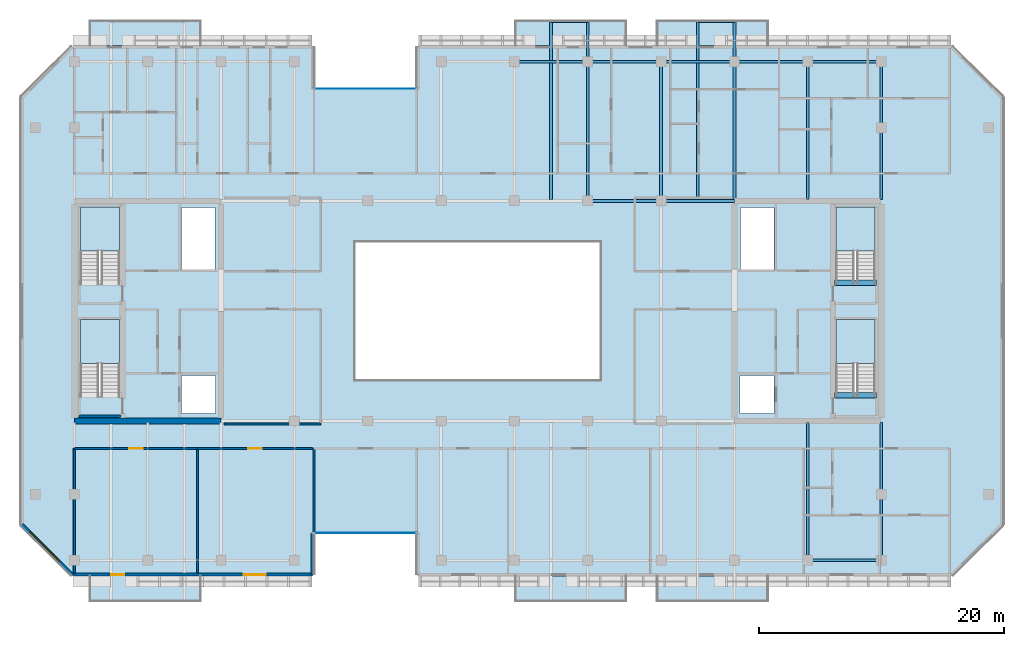
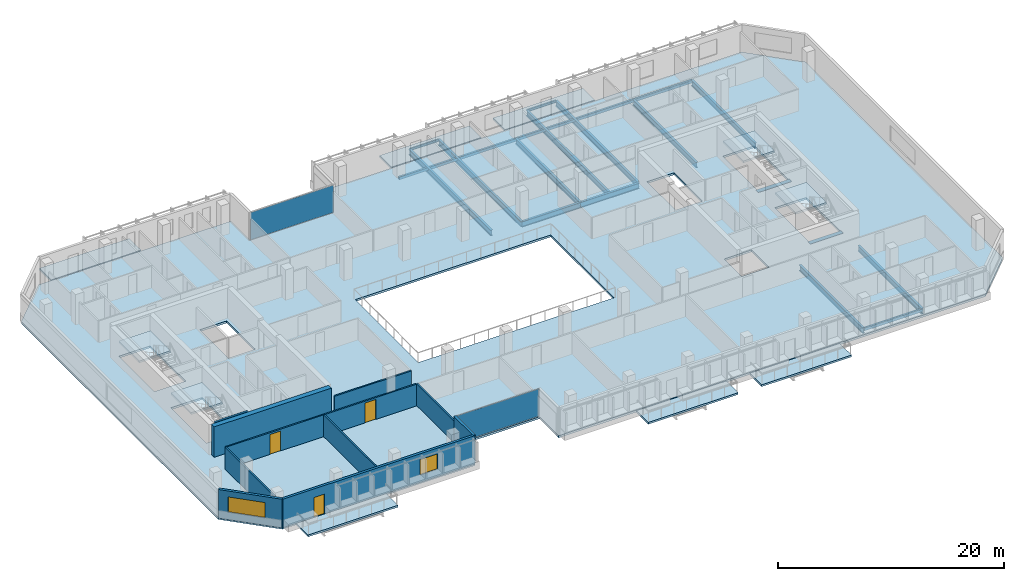
# One storey, part 8 of 19: 21 beams, 11 slabs, 11 walls, 3 doors, 2 plates, 2 windows, 5 openings, 6 elements without a shape of their own.
"""IFC4 building model written with IfcOpenShell, lengths in metres."""

from ifc_helpers import new_model, si_unit, direction, frame, frame_2d, origin, origin_2d, place, context, subcontext, project, spatial, polyline, rectangle, hollow_rectangle, i_section, outline, extrude, material, layer, layer_set, material_profile, profile_set, type_object, element, fill, aggregate, save


model = new_model("IFC4")

# Units and contexts
model_context = context("Model", 3, precision=1e-05, world=origin(), true_north=direction((0.0, 1.0)))
body_context = subcontext(model_context, "Body", "Model", "MODEL_VIEW")
ifc_project = project(units=[si_unit("LENGTHUNIT", "METRE"), si_unit("AREAUNIT", "SQUARE_METRE"), si_unit("VOLUMEUNIT", "CUBIC_METRE"), si_unit("PLANEANGLEUNIT", "RADIAN"), si_unit("MASSUNIT", "GRAM", prefix="KILO")], contexts=[model_context])

# Site, building, storey
site_placement = place(None, origin())
site = spatial("IfcSite", under=ifc_project, at=site_placement, CompositionType="ELEMENT")
building_placement = place(site_placement, origin())
building = spatial("IfcBuilding", under=site, at=building_placement, Name="Tanjung Sevakor Pilgrim Tower", CompositionType="ELEMENT")
storey_placement = place(building_placement, frame((0.0, 0.0, 155.10009765625)))
storey = spatial("IfcBuildingStorey", under=building, at=storey_placement, Name="L43", CompositionType="ELEMENT", Elevation=155.10009765625)

# Beams
ifc_material_1 = material(Name="Steel S355J2", Category="steel")
ifc_material_profile_1 = material_profile(ifc_material_1, i_section(OverallWidth=0.230224609375, OverallDepth=0.6171875, WebThickness=0.01318359375, FlangeThickness=0.022216796875, FilletRadius=0.0126953125, at=origin_2d()))
ifc_profile_set_1 = profile_set([ifc_material_profile_1], Name="Steel S355J2")
beam_type_1 = type_object("IfcBeamType", Name="BM-B-G3-UB_610x229x140", PredefinedType="BEAM", material=ifc_profile_set_1)
for number, where, z_axis, x_axis, name in (
    (1, (66.0, 42.60009765625, -0.52880859375), (1.0, 0.0, 0.0), (0.0, 1.0, 0.0), "L43 Primary Floor Girder MAIN Y426-06"),
    (2, (72.0, 42.60009765625, -0.52880859375), (1.0, 0.0, 0.0), (0.0, 1.0, 0.0), "L43 Primary Floor Girder MAIN Y426-07"),
):
    element("IfcBeam", number, at=place(storey_placement, frame(where, z_axis=z_axis, x_axis=x_axis)), inside=storey, type_object=beam_type_1, Name=name, PredefinedType="BEAM", context=body_context, shape_type="SweptSolid", body=[
        extrude(i_section(OverallWidth=0.230224609375, OverallDepth=0.6171875, WebThickness=0.01318359375, FlangeThickness=0.022216796875, FilletRadius=0.0126953125, at=origin_2d()), origin(), (0.0, 0.0, 1.0), 6.0),
    ])
ifc_material_2 = material(Name="Steel S355J2", Category="steel")
ifc_material_profile_2 = material_profile(ifc_material_2, i_section(OverallWidth=0.22900390625, OverallDepth=0.6123046875, WebThickness=0.011962890625, FlangeThickness=0.01953125, FilletRadius=0.0126953125, at=origin_2d()))
ifc_profile_set_2 = profile_set([ifc_material_profile_2], Name="Steel S355J2")
beam_type_2 = type_object("IfcBeamType", Name="BM-B-G4-UB_610x229x125", PredefinedType="BEAM", material=ifc_profile_set_2)
beam_1_placement = place(storey_placement, frame((63.0, 42.715087890625, -0.526123046875), z_axis=(0.0, 1.0, 0.0), x_axis=(-1.0, 0.0, 0.0)))
element("IfcBeam", 3, at=beam_1_placement, inside=storey, type_object=beam_type_2, Name="L43 Balcony Cantilever Beam MAIN-N2-1", PredefinedType="BEAM", context=body_context, shape_type="SweptSolid", body=[
    extrude(i_section(OverallWidth=0.22900390625, OverallDepth=0.6123046875, WebThickness=0.011962890625, FlangeThickness=0.01953125, FilletRadius=0.0126953125, at=origin_2d()), origin(), (0.0, 0.0, 1.0), 14.56494140625),
])
beam_2_placement = place(storey_placement, frame((66.0, 42.60009765625, -0.526123046875), z_axis=(0.0, 1.0, 0.0), x_axis=(-1.0, 0.0, 0.0)))
element("IfcBeam", 4, at=beam_2_placement, inside=storey, type_object=beam_type_2, Name="L43 Balcony Cantilever Beam MAIN-N2-2", PredefinedType="BEAM", context=body_context, shape_type="SweptSolid", body=[
    extrude(i_section(OverallWidth=0.22900390625, OverallDepth=0.6123046875, WebThickness=0.011962890625, FlangeThickness=0.01953125, FilletRadius=0.0126953125, at=origin_2d()), origin(), (0.0, 0.0, 1.0), 14.679931640625),
])
beam_3_placement = place(storey_placement, frame((72.0, 42.60009765625, -0.526123046875), z_axis=(0.0, 1.0, 0.0), x_axis=(-1.0, 0.0, 0.0)))
element("IfcBeam", 5, at=beam_3_placement, inside=storey, type_object=beam_type_2, Name="L43 MAIN Girder 016", PredefinedType="BEAM", context=body_context, shape_type="SweptSolid", body=[
    extrude(i_section(OverallWidth=0.22900390625, OverallDepth=0.6123046875, WebThickness=0.011962890625, FlangeThickness=0.01953125, FilletRadius=0.0126953125, at=origin_2d()), origin(), (0.0, 0.0, 1.0), 11.39990234375),
])
for number, where, z_axis, x_axis, name in (
    (6, (75.0, 42.715087890625, -0.526123046875), (0.0, 1.0, 0.0), (-1.0, 0.0, 0.0), "L43 Balcony Cantilever Beam MAIN-N3-1"),
    (7, (78.0, 42.715087890625, -0.526123046875), (0.0, 1.0, 0.0), (-1.0, 0.0, 0.0), "L43 Balcony Cantilever Beam MAIN-N3-2"),
):
    element("IfcBeam", number, at=place(storey_placement, frame(where, z_axis=z_axis, x_axis=x_axis)), inside=storey, type_object=beam_type_2, Name=name, PredefinedType="BEAM", context=body_context, shape_type="SweptSolid", body=[
        extrude(i_section(OverallWidth=0.22900390625, OverallDepth=0.6123046875, WebThickness=0.011962890625, FlangeThickness=0.01953125, FilletRadius=0.0126953125, at=origin_2d()), origin(), (0.0, 0.0, 1.0), 14.56494140625),
    ])
for number, where, z_axis, x_axis, name in (
    (8, (84.0, 13.199951171875, -0.526123046875), (0.0, 1.0, 0.0), (-1.0, 0.0, 0.0), "L43 MAIN Girder 017"),
    (9, (84.0, 42.715087890625, -0.526123046875), (0.0, 1.0, 0.0), (-1.0, 0.0, 0.0), "L43 MAIN Girder 018"),
    (10, (90.0, 13.199951171875, -0.526123046875), (0.0, 1.0, 0.0), (-1.0, 0.0, 0.0), "L43 MAIN Girder 019"),
    (11, (90.0, 42.715087890625, -0.526123046875), (0.0, 1.0, 0.0), (-1.0, 0.0, 0.0), "L43 MAIN Girder 020"),
):
    element("IfcBeam", number, at=place(storey_placement, frame(where, z_axis=z_axis, x_axis=x_axis)), inside=storey, type_object=beam_type_2, Name=name, PredefinedType="BEAM", context=body_context, shape_type="SweptSolid", body=[
        extrude(i_section(OverallWidth=0.22900390625, OverallDepth=0.6123046875, WebThickness=0.011962890625, FlangeThickness=0.01953125, FilletRadius=0.0126953125, at=origin_2d()), origin(), (0.0, 0.0, 1.0), 11.284912109375),
    ])
ifc_material_3 = material(Name="Steel S355J2", Category="steel")
ifc_material_profile_3 = material_profile(ifc_material_3, i_section(OverallWidth=0.146484375, OverallDepth=0.256103515625, WebThickness=0.00634765625, FlangeThickness=0.010986328125, FilletRadius=0.007568359375, at=origin_2d()))
ifc_profile_set_3 = profile_set([ifc_material_profile_3], Name="Steel S355J2")
beam_type_3 = type_object("IfcBeamType", Name="BM-B-J6-UB_254x146x37", PredefinedType="JOIST", material=ifc_profile_set_3)
for number, where, z_axis, x_axis, name in (
    (12, (63.0, 57.280029296875, -0.328125), (1.0, 0.0, 0.0), (0.0, 1.0, 0.0), "L43 Balcony Rim Tie MAIN-N2"),
    (13, (75.0, 57.280029296875, -0.328125), (1.0, 0.0, 0.0), (0.0, 1.0, 0.0), "L43 Balcony Rim Tie MAIN-N3"),
):
    element("IfcBeam", number, at=place(storey_placement, frame(where, z_axis=z_axis, x_axis=x_axis)), inside=storey, type_object=beam_type_3, Name=name, PredefinedType="JOIST", context=body_context, shape_type="SweptSolid", body=[
        extrude(i_section(OverallWidth=0.146484375, OverallDepth=0.256103515625, WebThickness=0.00634765625, FlangeThickness=0.010986328125, FilletRadius=0.007568359375, at=origin_2d()), origin(), (0.0, 0.0, 1.0), 3.0),
    ])
ifc_material_4 = material(Name="Concrete C60/75", Category="concrete")
ifc_material_profile_4 = material_profile(ifc_material_4, rectangle(XDim=0.449951171875, YDim=0.699951171875, at=origin_2d()))
ifc_profile_set_4 = profile_set([ifc_material_profile_4], Name="Concrete C60/75")
beam_type_4 = type_object("IfcBeamType", Name="BM-B-LN3-RC-BM_450x700", PredefinedType="LINTEL", material=ifc_profile_set_4)
for number, where, z_axis, x_axis, name in (
    (14, (86.199951171875, 26.699951171875, -0.35009765625), (1.0, 0.0, 0.0), (0.0, 1.0, 0.0), "L43 TS-E1 Stair Threshold Beam"),
    (15, (86.199951171875, 35.89990234375, -0.35009765625), (1.0, 0.0, 0.0), (0.0, 1.0, 0.0), "L43 TS-E2 Stair Threshold Beam"),
):
    element("IfcBeam", number, at=place(storey_placement, frame(where, z_axis=z_axis, x_axis=x_axis)), inside=storey, type_object=beam_type_4, Name=name, PredefinedType="LINTEL", context=body_context, shape_type="SweptSolid", body=[
        extrude(rectangle(XDim=0.449951171875, YDim=0.699951171875, at=origin_2d()), origin(), (0.0, 0.0, 1.0), 3.400146484375),
    ])
ifc_material_5 = material(Name="Steel S355J2", Category="steel")
ifc_material_profile_5 = material_profile(ifc_material_5, hollow_rectangle(XDim=0.199951171875, YDim=0.300048828125, WallThickness=0.012451171875, at=origin_2d()))
ifc_profile_set_5 = profile_set([ifc_material_profile_5], Name="Steel S355J2")
beam_type_5 = type_object("IfcBeamType", Name="BM-B-SP3-RHS_300x200x12.5", PredefinedType="SPANDREL", material=ifc_profile_set_5)
for number, where, z_axis, x_axis, name in (
    (16, (60.0, 54.0, -0.3701171875), (1.0, 0.0, 0.0), (0.0, 1.0, 0.0), "L43 Spandrel MAIN N-10"),
    (17, (66.0, 54.0, -0.3701171875), (1.0, 0.0, 0.0), (0.0, 1.0, 0.0), "L43 Spandrel MAIN N-12"),
    (18, (72.0, 54.0, -0.3701171875), (1.0, 0.0, 0.0), (0.0, 1.0, 0.0), "L43 Spandrel MAIN N-14"),
    (19, (78.0, 54.0, -0.3701171875), (1.0, 0.0, 0.0), (0.0, 1.0, 0.0), "L43 Spandrel MAIN N-16"),
    (20, (84.0, 13.199951171875, -0.3701171875), (1.0, 0.0, 0.0), (0.0, 1.0, 0.0), "L43 Spandrel MAIN S-17"),
    (21, (84.0, 54.0, -0.3701171875), (1.0, 0.0, 0.0), (0.0, 1.0, 0.0), "L43 Spandrel MAIN N-18"),
):
    element("IfcBeam", number, at=place(storey_placement, frame(where, z_axis=z_axis, x_axis=x_axis)), inside=storey, type_object=beam_type_5, Name=name, PredefinedType="SPANDREL", context=body_context, shape_type="SweptSolid", body=[
        extrude(hollow_rectangle(XDim=0.199951171875, YDim=0.300048828125, WallThickness=0.012451171875, at=origin_2d()), origin(), (0.0, 0.0, 1.0), 6.0),
    ])

# Slabs
ifc_material_6 = material(Name="Concrete C40/50", Category="concrete")
ifc_layer_1 = layer(ifc_material_6, 0.199951171875)
ifc_layer_set_1 = layer_set([ifc_layer_1], Name="SL-BAL-200")
slab_type_1 = type_object("IfcSlabType", Name="SL-BAL-200", PredefinedType="FLOOR", material=ifc_layer_set_1)
slab_1_placement = place(storey_placement, frame((0.0, 0.0, -0.2001953125)))
element("IfcSlab", 22, at=slab_1_placement, inside=storey, type_object=slab_type_1, Name="L43 Planted Loggia Balcony MAIN-S1", PredefinedType="FLOOR", context=body_context, shape_type="SweptSolid", body=[
    extrude(outline(polyline([(25.199951171875, 9.800048828125), (34.39990234375, 9.800048828125), (34.39990234375, 11.89990234375), (25.199951171875, 11.89990234375), (25.199951171875, 9.800048828125)])), origin(), (0.0, 0.0, 1.0), 0.2001953125),
])
slab_2_placement = place(storey_placement, frame((0.0, 0.0, -0.2001953125)))
element("IfcSlab", 23, at=slab_2_placement, inside=storey, type_object=slab_type_1, Name="L43 Planted Loggia Balcony MAIN-N1", PredefinedType="FLOOR", context=body_context, shape_type="SweptSolid", body=[
    extrude(outline(polyline([(25.199951171875, 55.300048828125), (34.39990234375, 55.300048828125), (34.39990234375, 57.39990234375), (25.199951171875, 57.39990234375), (25.199951171875, 55.300048828125)])), origin(), (0.0, 0.0, 1.0), 0.2001953125),
])
slab_3_placement = place(storey_placement, frame((0.0, 0.0, -0.2001953125)))
element("IfcSlab", 24, at=slab_3_placement, inside=storey, type_object=slab_type_1, Name="L43 Planted Loggia Balcony MAIN-S2", PredefinedType="FLOOR", context=body_context, shape_type="SweptSolid", body=[
    extrude(outline(polyline([(60.0, 9.800048828125), (69.199951171875, 9.800048828125), (69.199951171875, 11.89990234375), (60.0, 11.89990234375), (60.0, 9.800048828125)])), origin(), (0.0, 0.0, 1.0), 0.2001953125),
])
slab_4_placement = place(storey_placement, frame((0.0, 0.0, -0.2001953125)))
element("IfcSlab", 25, at=slab_4_placement, inside=storey, type_object=slab_type_1, Name="L43 Planted Loggia Balcony MAIN-N2", PredefinedType="FLOOR", context=body_context, shape_type="SweptSolid", body=[
    extrude(outline(polyline([(60.0, 55.300048828125), (69.199951171875, 55.300048828125), (69.199951171875, 57.39990234375), (60.0, 57.39990234375), (60.0, 55.300048828125)])), origin(), (0.0, 0.0, 1.0), 0.2001953125),
])
slab_5_placement = place(storey_placement, frame((0.0, 0.0, -0.2001953125)))
element("IfcSlab", 26, at=slab_5_placement, inside=storey, type_object=slab_type_1, Name="L43 Planted Loggia Balcony MAIN-S3", PredefinedType="FLOOR", context=body_context, shape_type="SweptSolid", body=[
    extrude(outline(polyline([(71.60009765625, 9.800048828125), (80.800048828125, 9.800048828125), (80.800048828125, 11.89990234375), (71.60009765625, 11.89990234375), (71.60009765625, 9.800048828125)])), origin(), (0.0, 0.0, 1.0), 0.2001953125),
])
slab_6_placement = place(storey_placement, frame((0.0, 0.0, -0.2001953125)))
element("IfcSlab", 27, at=slab_6_placement, inside=storey, type_object=slab_type_1, Name="L43 Planted Loggia Balcony MAIN-N3", PredefinedType="FLOOR", context=body_context, shape_type="SweptSolid", body=[
    extrude(outline(polyline([(71.60009765625, 55.300048828125), (80.800048828125, 55.300048828125), (80.800048828125, 57.39990234375), (71.60009765625, 57.39990234375), (71.60009765625, 55.300048828125)])), origin(), (0.0, 0.0, 1.0), 0.2001953125),
])

# Stair, slab
ifc_material_7 = material(Name="Concrete C40/50", Category="concrete")
stair_type = type_object("IfcStairType", Name="STAIR-ST-CR150", PredefinedType="HALF_TURN_STAIR", material=ifc_material_7)
stair_1_placement = place(storey_placement, origin())
stair_1 = element("IfcStair", 28, at=stair_1_placement, inside=storey, type_object=stair_type, Name="L43 West Core Exit Stair 1", PredefinedType="HALF_TURN_STAIR")
ifc_material_8 = material(Name="Concrete C40/50", Category="concrete")
ifc_layer_2 = layer(ifc_material_8, 0.199951171875)
ifc_layer_set_2 = layer_set([ifc_layer_2], Name="SL-LAND-200")
slab_type_2 = type_object("IfcSlabType", Name="SL-LAND-200", PredefinedType="LANDING", material=ifc_layer_set_2)
slab_7_placement = place(storey_placement, frame((0.0, 0.0, 1.449951171875)))
slab_7 = element("IfcSlab", 29, at=slab_7_placement, type_object=slab_type_2, Name="TS-W1 landing 1", PredefinedType="LANDING", context=body_context, shape_type="SweptSolid", body=[
    extrude(outline(polyline([(27.699951171875, 29.300048828125), (27.699951171875, 32.89990234375), (24.5, 32.89990234375), (24.5, 29.300048828125), (27.699951171875, 29.300048828125)])), origin(), (0.0, 0.0, 1.0), 0.199951171875),
])
aggregate(stair_1, [slab_7])

stair_2_placement = place(storey_placement, origin())
stair_2 = element("IfcStair", 30, at=stair_2_placement, inside=storey, type_object=stair_type, Name="L43 West Core Exit Stair 2", PredefinedType="HALF_TURN_STAIR")
slab_8_placement = place(storey_placement, frame((0.0, 0.0, 1.449951171875)))
slab_8 = element("IfcSlab", 31, at=slab_8_placement, type_object=slab_type_2, Name="TS-W2 landing 1", PredefinedType="LANDING", context=body_context, shape_type="SweptSolid", body=[
    extrude(outline(polyline([(27.699951171875, 38.5), (27.699951171875, 42.10009765625), (24.5, 42.10009765625), (24.5, 38.5), (27.699951171875, 38.5)])), origin(), (0.0, 0.0, 1.0), 0.199951171875),
])
aggregate(stair_2, [slab_8])

stair_3_placement = place(storey_placement, origin())
stair_3 = element("IfcStair", 32, at=stair_3_placement, inside=storey, type_object=stair_type, Name="L43 East Core Exit Stair 1", PredefinedType="HALF_TURN_STAIR")
slab_9_placement = place(storey_placement, frame((0.0, 0.0, 1.449951171875)))
slab_9 = element("IfcSlab", 33, at=slab_9_placement, type_object=slab_type_2, Name="TS-E1 landing 1", PredefinedType="LANDING", context=body_context, shape_type="SweptSolid", body=[
    extrude(outline(polyline([(89.5, 29.300048828125), (89.5, 32.89990234375), (86.300048828125, 32.89990234375), (86.300048828125, 29.300048828125), (89.5, 29.300048828125)])), origin(), (0.0, 0.0, 1.0), 0.199951171875),
])
aggregate(stair_3, [slab_9])

stair_4_placement = place(storey_placement, origin())
stair_4 = element("IfcStair", 34, at=stair_4_placement, inside=storey, type_object=stair_type, Name="L43 East Core Exit Stair 2", PredefinedType="HALF_TURN_STAIR")
slab_10_placement = place(storey_placement, frame((0.0, 0.0, 1.449951171875)))
slab_10 = element("IfcSlab", 35, at=slab_10_placement, type_object=slab_type_2, Name="TS-E2 landing 1", PredefinedType="LANDING", context=body_context, shape_type="SweptSolid", body=[
    extrude(outline(polyline([(89.5, 38.5), (89.5, 42.10009765625), (86.300048828125, 42.10009765625), (86.300048828125, 38.5), (89.5, 38.5)])), origin(), (0.0, 0.0, 1.0), 0.199951171875),
])
aggregate(stair_4, [slab_10])

# Slab
ifc_material_9 = material(Name="Concrete C40/50", Category="concrete")
ifc_layer_3 = layer(ifc_material_9, 0.219970703125)
ifc_layer_set_3 = layer_set([ifc_layer_3], Name="SL-TWR-220")
slab_type_3 = type_object("IfcSlabType", Name="SL-TWR-220", PredefinedType="FLOOR", material=ifc_layer_set_3)
slab_11_placement = place(storey_placement, frame((0.0, 0.0, -0.22021484375)))
element("IfcSlab", 36, at=slab_11_placement, inside=storey, type_object=slab_type_3, Name="L43 Floor Slab MAIN", PredefinedType="FLOOR", context=body_context, shape_type="SweptSolid", body=[
    extrude(outline(polyline([(23.846923828125, 11.97998046875), (43.52001953125, 11.97998046875), (43.52001953125, 15.3798828125), (52.080078125, 15.3798828125), (52.080078125, 11.97998046875), (95.753173828125, 11.97998046875), (99.919921875, 16.14697265625), (99.919921875, 51.052978515625), (95.753173828125, 55.219970703125), (52.080078125, 55.219970703125), (52.080078125, 51.820068359375), (43.52001953125, 51.820068359375), (43.52001953125, 55.219970703125), (23.846923828125, 55.219970703125), (19.679931640625, 51.052978515625), (19.679931640625, 16.14697265625), (23.846923828125, 11.97998046875)]), holes=[polyline([(27.699951171875, 26.60009765625), (27.699951171875, 32.89990234375), (24.5, 32.89990234375), (24.5, 26.60009765625), (27.699951171875, 26.60009765625)]), polyline([(27.699951171875, 35.800048828125), (27.699951171875, 42.10009765625), (24.5, 42.10009765625), (24.5, 35.800048828125), (27.699951171875, 35.800048828125)]), polyline([(89.5, 26.60009765625), (89.5, 32.89990234375), (86.300048828125, 32.89990234375), (86.300048828125, 26.60009765625), (89.5, 26.60009765625)]), polyline([(89.5, 35.800048828125), (89.5, 42.10009765625), (86.300048828125, 42.10009765625), (86.300048828125, 35.800048828125), (89.5, 35.800048828125)]), polyline([(32.75, 25.199951171875), (35.550048828125, 25.199951171875), (35.550048828125, 28.300048828125), (32.75, 28.300048828125), (32.75, 25.199951171875)]), polyline([(32.75, 37.0), (35.5, 37.0), (35.5, 42.050048828125), (32.75, 42.050048828125), (32.75, 37.0)]), polyline([(78.449951171875, 25.199951171875), (81.25, 25.199951171875), (81.25, 28.300048828125), (78.449951171875, 28.300048828125), (78.449951171875, 25.199951171875)]), polyline([(78.5, 37.0), (81.25, 37.0), (81.25, 42.050048828125), (78.5, 42.050048828125), (78.5, 37.0)]), polyline([(47.0, 28.0), (67.0, 28.0), (67.0, 39.199951171875), (47.0, 39.199951171875), (47.0, 28.0)])]), origin(), (0.0, 0.0, 1.0), 0.22021484375),
])

# Curtain wall, plate
ifc_material_10 = material(Name="Aluminium 6063-T6 and Low-E Glass", Category="aluminium")
ifc_layer_4 = layer(ifc_material_10, 0.179931640625)
ifc_layer_set_4 = layer_set([ifc_layer_4], Name="CW-SYS-CLEFT")
curtain_wall_type = type_object("IfcCurtainWallType", Name="CW-SYS-CLEFT", PredefinedType="NOTDEFINED", material=ifc_layer_set_4)
curtain_wall_1_placement = place(storey_placement, origin())
curtain_wall_1 = element("IfcCurtainWall", 37, at=curtain_wall_1_placement, inside=storey, type_object=curtain_wall_type, Name="L43 Curtain Wall CW-CLF-L43-2", PredefinedType="NOTDEFINED")
ifc_material_11 = material(Name="Laminated Low-E Double Glazing", Category="glass")
ifc_layer_5 = layer(ifc_material_11, 0.028076171875)
ifc_layer_set_5 = layer_set([ifc_layer_5], Name="TYPE-CWP-GLZ1")
plate_type = type_object("IfcPlateType", Name="TYPE-CWP-GLZ1", PredefinedType="CURTAIN_PANEL", material=ifc_layer_set_5)
plate_1_placement = place(storey_placement, frame((47.800048828125, 15.425048828125, 0.06494140625), z_axis=(0.0, 0.0, 1.0), x_axis=(1.0, 0.0, 0.0)))
plate_1 = element("IfcPlate", 38, at=plate_1_placement, type_object=plate_type, Name="CW-CLF panel 1.1", PredefinedType="CURTAIN_PANEL", context=body_context, shape_type="SweptSolid", body=[
    extrude(rectangle(XDim=8.5, YDim=0.028076171875, at=origin_2d()), origin(), (0.0, 0.0, 1.0), 2.949951171875),
])
aggregate(curtain_wall_1, [plate_1])

curtain_wall_2_placement = place(storey_placement, origin())
curtain_wall_2 = element("IfcCurtainWall", 39, at=curtain_wall_2_placement, inside=storey, type_object=curtain_wall_type, Name="L43 Curtain Wall CW-CLF-L43-10", PredefinedType="NOTDEFINED")
plate_2_placement = place(storey_placement, frame((47.800048828125, 51.77490234375, 0.06494140625), z_axis=(0.0, 0.0, 1.0), x_axis=(-1.0, 0.0, 0.0)))
plate_2 = element("IfcPlate", 40, at=plate_2_placement, type_object=plate_type, Name="CW-CLF panel 1.1", PredefinedType="CURTAIN_PANEL", context=body_context, shape_type="SweptSolid", body=[
    extrude(rectangle(XDim=8.5, YDim=0.028076171875, at=origin_2d()), origin(), (0.0, 0.0, 1.0), 2.949951171875),
])
aggregate(curtain_wall_2, [plate_2])

# Walls
ifc_material_12 = material(Name="Concrete C60/75", Category="concrete")
ifc_layer_6 = layer(ifc_material_12, 0.5)
ifc_layer_set_6 = layer_set([ifc_layer_6], Name="WALL-CW-500")
wall_type_1 = type_object("IfcWallType", Name="WALL-CW-500", PredefinedType="SHEAR", material=ifc_layer_set_6)
wall_1_placement = place(storey_placement, frame((24.0, 24.60009765625, 0.0), z_axis=(0.0, 0.0, 1.0), x_axis=(1.0, 0.0, 0.0)))
element("IfcWall", 41, at=wall_1_placement, inside=storey, type_object=wall_type_1, Name="L43 W Core South Shear Wall", PredefinedType="SHEAR", context=body_context, shape_type="SweptSolid", body=[
    extrude(rectangle(XDim=12.0, YDim=0.5, at=frame_2d((6.0, 0.0))), origin(), (0.0, 0.0, 1.0), 3.2998046875),
])
ifc_material_13 = material(Name="Concrete C40/50", Category="concrete")
ifc_layer_7 = layer(ifc_material_13, 0.14990234375)
ifc_layer_set_7 = layer_set([ifc_layer_7], Name="WT-COMP-150")
wall_type_2 = type_object("IfcWallType", Name="WT-COMP-150", PredefinedType="SOLIDWALL", material=ifc_layer_set_7)
wall_2_placement = place(storey_placement, frame((36.27001953125, 24.35009765625, 0.0), z_axis=(0.0, 0.0, 1.0), x_axis=(1.0, 0.0, 0.0)))
element("IfcWall", 42, at=wall_2_placement, inside=storey, type_object=wall_type_2, Name="L43 Partition IW-L43-019", PredefinedType="SOLIDWALL", context=body_context, shape_type="SweptSolid", body=[
    extrude(rectangle(XDim=7.8798828125, YDim=0.14990234375, at=frame_2d((3.93994140625, 0.0))), origin(), (0.0, 0.0, 1.0), 2.35009765625),
])
for number, where, z_axis, x_axis, name in (
    (43, (43.60009765625, 12.14990234375, 0.0), (0.0, 0.0, 1.0), (0.0, 1.0, 0.0), "L43 Partition IW-L43-032"),
    (44, (24.0, 12.14990234375, 0.0), (0.0, 0.0, 1.0), (0.0, 1.0, 0.0), "L43 Partition IW-L43-037"),
    (45, (34.07177734375, 12.14990234375, 0.0), (0.0, 0.0, 1.0), (0.0, 1.0, 0.0), "L43 Partition IW-L43-038"),
):
    element("IfcWall", number, at=place(storey_placement, frame(where, z_axis=z_axis, x_axis=x_axis)), inside=storey, type_object=wall_type_2, Name=name, PredefinedType="SOLIDWALL", context=body_context, shape_type="SweptSolid", body=[
        extrude(rectangle(XDim=10.2001953125, YDim=0.14990234375, at=frame_2d((5.10009765625, 0.0))), origin(), (0.0, 0.0, 1.0), 2.35009765625),
    ])

# Wall, opening, door
wall_3_placement = place(storey_placement, frame((24.0, 22.35009765625, 0.0), z_axis=(0.0, 0.0, 1.0), x_axis=(1.0, 0.0, 0.0)))
wall_3 = element("IfcWall", 46, at=wall_3_placement, inside=storey, type_object=wall_type_2, Name="L43 Partition IW-L43-039", PredefinedType="SOLIDWALL", context=body_context, shape_type="SweptSolid", body=[
    extrude(rectangle(XDim=10.07177734375, YDim=0.14990234375, at=frame_2d((5.035888671875, 0.0))), origin(), (0.0, 0.0, 1.0), 2.35009765625),
])
opening_1_placement = place(wall_3_placement, frame((4.48583984375, 0.0, 0.0)))
opening_1 = element("IfcOpeningElement", 47, at=opening_1_placement, cuts=wall_3, Name="Opening ID-FD0", PredefinedType="OPENING", context=body_context, shape_type="SweptSolid", body=[
    extrude(rectangle(XDim=1.10009765625, YDim=2.14990234375, at=frame_2d((0.550048828125, 1.074951171875))), frame((0.0, 0.0849609375, 0.0), z_axis=(0.0, -1.0, 0.0), x_axis=(1.0, 0.0, 0.0)), (0.0, 0.0, 1.0), 0.169921875),
])
ifc_material_14 = material(Name="Fire-Rated Steel S355J2", Category="steel")
door_type_1 = type_object("IfcDoorType", Name="DT-FIRE-1100", OperationType="NOTDEFINED", PredefinedType="DOOR", material=ifc_material_14)
door_1_placement = place(opening_1_placement, origin())
door_1 = element("IfcDoor", 48, at=door_1_placement, inside=storey, type_object=door_type_1, Name="Communal Lounge Door", OperationType="SINGLE_SWING_RIGHT", OverallHeight=2.14990234375, OverallWidth=1.10009765625, PredefinedType="DOOR", context=body_context, shape_type="SweptSolid", body=[
    extrude(rectangle(XDim=1.10009765625, YDim=2.14990234375, at=frame_2d((0.550048828125, 1.074951171875))), frame((0.0, 0.02490234375, 0.0), z_axis=(0.0, -1.0, 0.0), x_axis=(1.0, 0.0, 0.0)), (0.0, 0.0, 1.0), 0.050048828125),
])
fill(opening_1, door_1)

wall_4_placement = place(storey_placement, frame((34.07177734375, 22.35009765625, 0.0), z_axis=(0.0, 0.0, 1.0), x_axis=(1.0, 0.0, 0.0)))
wall_4 = element("IfcWall", 49, at=wall_4_placement, inside=storey, type_object=wall_type_2, Name="L43 Partition IW-L43-040", PredefinedType="SOLIDWALL", context=body_context, shape_type="SweptSolid", body=[
    extrude(rectangle(XDim=9.408203125, YDim=0.14990234375, at=frame_2d((4.7041015625, 0.0))), origin(), (0.0, 0.0, 1.0), 2.35009765625),
])
opening_2_placement = place(wall_4_placement, frame((4.154052734375, 0.0, 0.0)))
opening_2 = element("IfcOpeningElement", 50, at=opening_2_placement, cuts=wall_4, Name="Opening ID-FD0", PredefinedType="OPENING", context=body_context, shape_type="SweptSolid", body=[
    extrude(rectangle(XDim=1.10009765625, YDim=2.14990234375, at=frame_2d((0.550048828125, 1.074951171875))), frame((0.0, 0.0849609375, 0.0), z_axis=(0.0, -1.0, 0.0), x_axis=(1.0, 0.0, 0.0)), (0.0, 0.0, 1.0), 0.169921875),
])
door_2_placement = place(opening_2_placement, origin())
door_2 = element("IfcDoor", 51, at=door_2_placement, inside=storey, type_object=door_type_1, Name="Council Room Door", OperationType="SINGLE_SWING_LEFT", OverallHeight=2.14990234375, OverallWidth=1.10009765625, PredefinedType="DOOR", context=body_context, shape_type="SweptSolid", body=[
    extrude(rectangle(XDim=1.10009765625, YDim=2.14990234375, at=frame_2d((0.550048828125, 1.074951171875))), frame((0.0, 0.02490234375, 0.0), z_axis=(0.0, -1.0, 0.0), x_axis=(1.0, 0.0, 0.0)), (0.0, 0.0, 1.0), 0.050048828125),
])
fill(opening_2, door_2)

# Wall, openings, door, window
ifc_material_15 = material(Name="Precast concrete C45/55", Category="concrete")
ifc_layer_8 = layer(ifc_material_15, 0.25)
ifc_layer_set_8 = layer_set([ifc_layer_8], Name="WT-EW-STN3")
wall_type_3 = type_object("IfcWallType", Name="WT-EW-STN3", PredefinedType="SOLIDWALL", material=ifc_layer_set_8)
wall_5_placement = place(storey_placement, frame((23.851806640625, 12.02490234375, 0.0), z_axis=(0.0, 0.0, 1.0), x_axis=(1.0, 0.0, 0.0)))
wall_5 = element("IfcWall", 52, at=wall_5_placement, inside=storey, type_object=wall_type_3, Name="L43 MAIN Exterior Wall 1", PredefinedType="SOLIDWALL", context=body_context, shape_type="SweptSolid", body=[
    extrude(rectangle(XDim=19.623291015625, YDim=0.25, at=frame_2d((9.8115234375, 0.0))), origin(), (0.0, 0.0, 1.0), 3.080078125),
])
opening_3_placement = place(wall_5_placement, frame((3.148193359375, 0.0, 0.0)))
opening_3 = element("IfcOpeningElement", 53, at=opening_3_placement, cuts=wall_5, Name="Opening ED-BAL-1100", PredefinedType="OPENING", context=body_context, shape_type="SweptSolid", body=[
    extrude(rectangle(XDim=1.10009765625, YDim=2.14990234375, at=frame_2d((0.550048828125, 1.074951171875))), frame((0.0, 0.135009765625, 0.0), z_axis=(0.0, -1.0, 0.0), x_axis=(1.0, 0.0, 0.0)), (0.0, 0.0, 1.0), 0.27001953125),
])
opening_4_placement = place(wall_5_placement, frame((14.02392578125, 0.0, 0.780029296875)))
opening_4 = element("IfcOpeningElement", 54, at=opening_4_placement, cuts=wall_5, Name="Opening WN-Z3-1660", PredefinedType="OPENING", context=body_context, shape_type="SweptSolid", body=[
    extrude(rectangle(XDim=1.800048828125, YDim=1.659912109375, at=frame_2d((0.89990234375, 0.830078125))), frame((0.0, 0.135009765625, 0.0), z_axis=(0.0, -1.0, 0.0), x_axis=(1.0, 0.0, 0.0)), (0.0, 0.0, 1.0), 0.27001953125),
])
ifc_material_16 = material(Name="Anodised Aluminium and Laminated Glass", Category="aluminium")
door_type_2 = type_object("IfcDoorType", Name="DTYP-ED-BAL-1100", OperationType="NOTDEFINED", PredefinedType="DOOR", material=ifc_material_16)
door_3_placement = place(opening_3_placement, frame((1.10009765625, 0.0, 0.0), z_axis=(0.0, 0.0, 1.0), x_axis=(-1.0, 0.0, 0.0)))
door_3 = element("IfcDoor", 55, at=door_3_placement, inside=storey, type_object=door_type_2, Name="L43 Balcony Door MAIN-S1", OperationType="SINGLE_SWING_RIGHT", OverallHeight=2.14990234375, OverallWidth=1.10009765625, PredefinedType="DOOR", context=body_context, shape_type="SweptSolid", body=[
    extrude(rectangle(XDim=1.10009765625, YDim=2.14990234375, at=frame_2d((0.550048828125, 1.074951171875))), frame((0.0, 0.02490234375, 0.0), z_axis=(0.0, -1.0, 0.0), x_axis=(1.0, 0.0, 0.0)), (0.0, 0.0, 1.0), 0.050048828125),
])
fill(opening_3, door_3)
ifc_material_17 = material(Name="Thermally Broken Aluminium and Low-E Glass", Category="aluminium")
window_type_1 = type_object("IfcWindowType", Name="WTYP-WN-Z3-1660", PartitioningType="DOUBLE_PANEL_VERTICAL", PredefinedType="WINDOW", material=ifc_material_17)
window_1_placement = place(opening_4_placement, origin())
window_1 = element("IfcWindow", 56, at=window_1_placement, inside=storey, type_object=window_type_1, Name="L43 Facade Window 01", OverallHeight=1.659912109375, OverallWidth=1.800048828125, PartitioningType="SINGLE_PANEL", PredefinedType="WINDOW", context=body_context, shape_type="SweptSolid", body=[
    extrude(rectangle(XDim=1.800048828125, YDim=1.659912109375, at=frame_2d((0.89990234375, 0.830078125))), frame((0.0, 0.030029296875, 0.0), z_axis=(0.0, -1.0, 0.0), x_axis=(1.0, 0.0, 0.0)), (0.0, 0.0, 1.0), 0.06005859375),
])
fill(opening_4, window_1)

# Wall
wall_6_placement = place(storey_placement, frame((43.47509765625, 12.02490234375, 0.0), z_axis=(0.0, 0.0, 1.0), x_axis=(0.0, 1.0, 0.0)))
element("IfcWall", 57, at=wall_6_placement, inside=storey, type_object=wall_type_3, Name="L43 MAIN Exterior Wall 2", PredefinedType="SOLIDWALL", context=body_context, shape_type="SweptSolid", body=[
    extrude(rectangle(XDim=3.400146484375, YDim=0.25, at=frame_2d((1.7001953125, 0.0))), origin(), (0.0, 0.0, 1.0), 3.080078125),
])

# Wall, opening, window
wall_7_placement = place(storey_placement, frame((19.72509765625, 16.15185546875, 0.0), z_axis=(0.0, 0.0, 1.0), x_axis=(0.70708586489, -0.707127696864, 0.0)))
wall_7 = element("IfcWall", 58, at=wall_7_placement, inside=storey, type_object=wall_type_3, Name="L43 MAIN Sculpted Corner Wall 15", PredefinedType="SOLIDWALL", context=body_context, shape_type="SweptSolid", body=[
    extrude(rectangle(XDim=5.836181640625, YDim=0.25, at=frame_2d((2.91796875, 0.0))), origin(), (0.0, 0.0, 1.0), 3.080078125),
])
opening_5_placement = place(wall_7_placement, frame((0.898193359375, 0.0, 0.780029296875)))
opening_5 = element("IfcOpeningElement", 59, at=opening_5_placement, cuts=wall_7, Name="Opening WN-CHM-1660", PredefinedType="OPENING", context=body_context, shape_type="SweptSolid", body=[
    extrude(rectangle(XDim=3.39990234375, YDim=1.659912109375, at=frame_2d((1.699951171875, 0.830078125))), frame((0.0, 0.135009765625, 0.0), z_axis=(0.0, -1.0, 0.0), x_axis=(1.0, 0.0, 0.0)), (0.0, 0.0, 1.0), 0.27001953125),
])
ifc_material_18 = material(Name="Thermally Broken Aluminium and Low-E Glass", Category="aluminium")
window_type_2 = type_object("IfcWindowType", Name="WTYP-WN-CHM-1660", PartitioningType="DOUBLE_PANEL_VERTICAL", PredefinedType="WINDOW", material=ifc_material_18)
window_2_placement = place(opening_5_placement, origin())
window_2 = element("IfcWindow", 60, at=window_2_placement, inside=storey, type_object=window_type_2, Name="L43 Facade Window 01", OverallHeight=1.659912109375, OverallWidth=3.39990234375, PartitioningType="SINGLE_PANEL", PredefinedType="WINDOW", context=body_context, shape_type="SweptSolid", body=[
    extrude(rectangle(XDim=3.39990234375, YDim=1.659912109375, at=frame_2d((1.699951171875, 0.830078125))), frame((0.0, 0.030029296875, 0.0), z_axis=(0.0, -1.0, 0.0), x_axis=(1.0, 0.0, 0.0)), (0.0, 0.0, 1.0), 0.06005859375),
])
fill(opening_5, window_2)

# Wall
ifc_material_19 = material(Name="Concrete C40/50", Category="concrete")
ifc_layer_9 = layer(ifc_material_19, 0.199951171875)
ifc_layer_set_9 = layer_set([ifc_layer_9], Name="WT-FIRE-200")
wall_type_4 = type_object("IfcWallType", Name="WT-FIRE-200", PredefinedType="SOLIDWALL", material=ifc_layer_set_9)
wall_8_placement = place(storey_placement, frame((24.39990234375, 25.0, 0.0), z_axis=(0.0, 0.0, 1.0), x_axis=(1.0, 0.0, 0.0)))
element("IfcWall", 61, at=wall_8_placement, inside=storey, type_object=wall_type_4, Name="L43 TS-W1 Shaft Wall 1", PredefinedType="SOLIDWALL", context=body_context, shape_type="SweptSolid", body=[
    extrude(rectangle(XDim=3.400146484375, YDim=0.199951171875, at=frame_2d((1.7001953125, 0.0))), origin(), (0.0, 0.0, 1.0), 3.2998046875),
])

save(model, "model.ifc")
